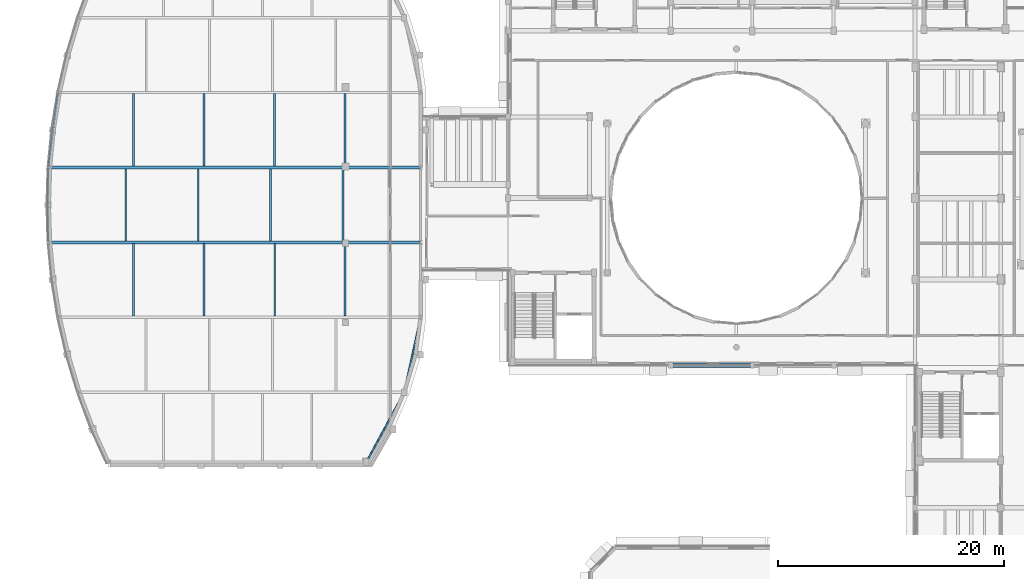
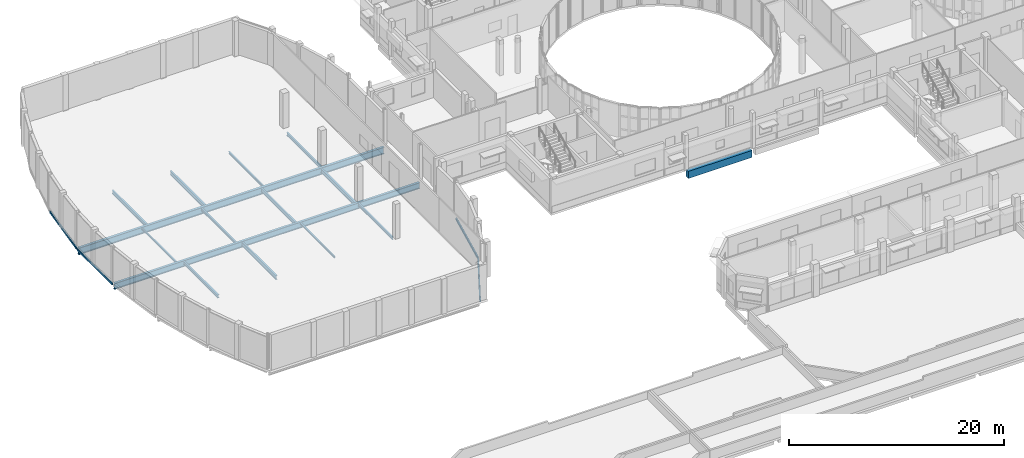
# One storey, part 20 of 105: 19 beams.
"""IFC4 building model written with IfcOpenShell, lengths in metres."""

from ifc_helpers import new_model, si_unit, direction, frame, origin, origin_2d, place, context, subcontext, project, spatial, rectangle, hollow_rectangle, i_section, extrude, material, material_profile, profile_set, type_object, element, save


model = new_model("IFC4")

# Units and contexts
model_context = context("Model", 3, precision=1e-05, world=origin(), true_north=direction((0.0, 1.0)))
body_context = subcontext(model_context, "Body", "Model", "MODEL_VIEW")
ifc_project = project(units=[si_unit("LENGTHUNIT", "METRE"), si_unit("AREAUNIT", "SQUARE_METRE"), si_unit("VOLUMEUNIT", "CUBIC_METRE"), si_unit("PLANEANGLEUNIT", "RADIAN"), si_unit("MASSUNIT", "GRAM", prefix="KILO")], contexts=[model_context])

# Site, building, storey
site_placement = place(None, origin())
site = spatial("IfcSite", under=ifc_project, at=site_placement, CompositionType="ELEMENT")
building_placement = place(site_placement, origin())
building = spatial("IfcBuilding", under=site, at=building_placement, Name="Kelanivale Promenade Academy", CompositionType="ELEMENT")
storey_placement = place(building_placement, frame((0.0, 0.0, 4.199951171875)))
storey = spatial("IfcBuildingStorey", under=building, at=storey_placement, Name="L01", CompositionType="ELEMENT", Elevation=4.199951171875)

# Beams
ifc_material_1 = material(Name="Concrete C35/45", Category="concrete")
ifc_material_profile_1 = material_profile(ifc_material_1, rectangle(XDim=0.39990234375, YDim=0.800048828125, at=origin_2d()), Name="RC-BM 400x800")
ifc_profile_set_1 = profile_set([ifc_material_profile_1], Name="Concrete C35/45")
beam_type_1 = type_object("IfcBeamType", Name="BM-14 RC-BM 400x800", PredefinedType="BEAM", material=ifc_profile_set_1)
beam_1_placement = place(storey_placement, frame((57.794921875, 42.0, -0.619873046875), z_axis=(1.0, 0.0, 0.0), x_axis=(0.0, 1.0, 0.0)))
element("IfcBeam", 1, at=beam_1_placement, inside=storey, type_object=beam_type_1, Name="L01 girder BM-14", PredefinedType="BEAM", context=body_context, shape_type="SweptSolid", body=[
    extrude(rectangle(XDim=0.39990234375, YDim=0.800048828125, at=origin_2d()), origin(), (0.0, 0.0, 1.0), 6.8349609375),
])
ifc_material_2 = material(Name="Steel S355", Category="steel")
ifc_material_profile_2 = material_profile(ifc_material_2, i_section(OverallWidth=0.13330078125, OverallDepth=0.203125, WebThickness=0.005615234375, FlangeThickness=0.0078125, FilletRadius=0.007568359375, at=origin_2d()), Name="UB 203x133x25")
ifc_profile_set_2 = profile_set([ifc_material_profile_2], Name="Steel S355")
beam_type_2 = type_object("IfcBeamType", Name="SB-01 UB 203x133x25", PredefinedType="JOIST", material=ifc_profile_set_2)
beam_2_placement = place(storey_placement, frame((22.52392578125, 46.365966796875, -0.366943359375), z_axis=(0.0, 1.0, 0.0), x_axis=(-1.0, 0.0, 0.0)))
element("IfcBeam", 2, at=beam_2_placement, inside=storey, type_object=beam_type_2, Name="L01 hall floor secondary joist SB-01", PredefinedType="JOIST", context=body_context, shape_type="SweptSolid", body=[
    extrude(i_section(OverallWidth=0.13330078125, OverallDepth=0.203125, WebThickness=0.005615234375, FlangeThickness=0.0078125, FilletRadius=0.007568359375, at=origin_2d()), origin(), (0.0, 0.0, 1.0), 6.39794921875),
])
beam_3_placement = place(storey_placement, frame((9.364990234375, 53.008056640625, -0.366943359375), z_axis=(0.0, 1.0, 0.0), x_axis=(-1.0, 0.0, 0.0)))
element("IfcBeam", 3, at=beam_3_placement, inside=storey, type_object=beam_type_2, Name="L01 hall floor secondary joist SB-01", PredefinedType="JOIST", context=body_context, shape_type="SweptSolid", body=[
    extrude(i_section(OverallWidth=0.13330078125, OverallDepth=0.203125, WebThickness=0.005615234375, FlangeThickness=0.0078125, FilletRadius=0.007568359375, at=origin_2d()), origin(), (0.0, 0.0, 1.0), 6.3779296875),
])
ifc_material_profile_3 = material_profile(ifc_material_2, i_section(OverallWidth=0.14599609375, OverallDepth=0.25146484375, WebThickness=0.006103515625, FlangeThickness=0.008544921875, FilletRadius=0.007568359375, at=origin_2d()), Name="UB 254x146x31")
ifc_profile_set_3 = profile_set([ifc_material_profile_3], Name="Steel S355")
beam_type_3 = type_object("IfcBeamType", Name="SB-02 UB 254x146x31", PredefinedType="JOIST", material=ifc_profile_set_3)
beam_4_placement = place(storey_placement, frame((22.52392578125, 59.64208984375, -0.390869140625), z_axis=(0.0, 1.0, 0.0), x_axis=(-1.0, 0.0, 0.0)))
element("IfcBeam", 4, at=beam_4_placement, inside=storey, type_object=beam_type_3, Name="L01 hall floor secondary joist SB-02", PredefinedType="JOIST", context=body_context, shape_type="SweptSolid", body=[
    extrude(i_section(OverallWidth=0.14599609375, OverallDepth=0.25146484375, WebThickness=0.006103515625, FlangeThickness=0.008544921875, FilletRadius=0.007568359375, at=origin_2d()), origin(), (0.0, 0.0, 1.0), 6.40087890625),
])
ifc_material_profile_4 = material_profile(ifc_material_2, i_section(OverallWidth=0.1650390625, OverallDepth=0.303466796875, WebThickness=0.006103515625, FlangeThickness=0.01025390625, FilletRadius=0.0087890625, at=origin_2d()), Name="UB 305x165x40")
ifc_profile_set_4 = profile_set([ifc_material_profile_4], Name="Steel S355")
beam_type_4 = type_object("IfcBeamType", Name="SB-03 UB 305x165x40", PredefinedType="BEAM", material=ifc_profile_set_4)
beam_5_placement = place(storey_placement, frame((28.761962890625, 46.365966796875, -0.4169921875), z_axis=(0.0, 1.0, 0.0), x_axis=(-1.0, 0.0, 0.0)))
element("IfcBeam", 5, at=beam_5_placement, inside=storey, type_object=beam_type_4, Name="L01 hall floor secondary joist SB-03", PredefinedType="BEAM", context=body_context, shape_type="SweptSolid", body=[
    extrude(i_section(OverallWidth=0.1650390625, OverallDepth=0.303466796875, WebThickness=0.006103515625, FlangeThickness=0.01025390625, FilletRadius=0.0087890625, at=origin_2d()), origin(), (0.0, 0.0, 1.0), 6.39794921875),
])
beam_6_placement = place(storey_placement, frame((15.77392578125, 53.008056640625, -0.4169921875), z_axis=(0.0, 1.0, 0.0), x_axis=(-1.0, 0.0, 0.0)))
element("IfcBeam", 6, at=beam_6_placement, inside=storey, type_object=beam_type_4, Name="L01 hall floor secondary joist SB-03", PredefinedType="BEAM", context=body_context, shape_type="SweptSolid", body=[
    extrude(i_section(OverallWidth=0.1650390625, OverallDepth=0.303466796875, WebThickness=0.006103515625, FlangeThickness=0.01025390625, FilletRadius=0.0087890625, at=origin_2d()), origin(), (0.0, 0.0, 1.0), 6.3779296875),
])
ifc_material_profile_5 = material_profile(ifc_material_2, i_section(OverallWidth=0.17138671875, OverallDepth=0.35498046875, WebThickness=0.00732421875, FlangeThickness=0.011474609375, FilletRadius=0.01025390625, at=origin_2d()), Name="UB 356x171x51")
ifc_profile_set_5 = profile_set([ifc_material_profile_5], Name="Steel S355")
beam_type_5 = type_object("IfcBeamType", Name="SB-04 UB 356x171x51", PredefinedType="BEAM", material=ifc_profile_set_5)
beam_7_placement = place(storey_placement, frame((10.047119140625, 46.365966796875, -0.44189453125), z_axis=(0.0, 1.0, 0.0), x_axis=(-1.0, 0.0, 0.0)))
element("IfcBeam", 7, at=beam_7_placement, inside=storey, type_object=beam_type_5, Name="L01 hall floor secondary joist SB-04", PredefinedType="BEAM", context=body_context, shape_type="SweptSolid", body=[
    extrude(i_section(OverallWidth=0.17138671875, OverallDepth=0.35498046875, WebThickness=0.00732421875, FlangeThickness=0.011474609375, FilletRadius=0.01025390625, at=origin_2d()), origin(), (0.0, 0.0, 1.0), 6.39794921875),
])
beam_8_placement = place(storey_placement, frame((28.761962890625, 59.64208984375, -0.44189453125), z_axis=(0.0, 1.0, 0.0), x_axis=(-1.0, 0.0, 0.0)))
element("IfcBeam", 8, at=beam_8_placement, inside=storey, type_object=beam_type_5, Name="L01 hall floor secondary joist SB-04", PredefinedType="BEAM", context=body_context, shape_type="SweptSolid", body=[
    extrude(i_section(OverallWidth=0.17138671875, OverallDepth=0.35498046875, WebThickness=0.00732421875, FlangeThickness=0.011474609375, FilletRadius=0.01025390625, at=origin_2d()), origin(), (0.0, 0.0, 1.0), 6.40087890625),
])
ifc_material_profile_6 = material_profile(ifc_material_2, i_section(OverallWidth=0.177978515625, OverallDepth=0.406494140625, WebThickness=0.0078125, FlangeThickness=0.0126953125, FilletRadius=0.01025390625, at=origin_2d()), Name="UB 406x178x60")
ifc_profile_set_6 = profile_set([ifc_material_profile_6], Name="Steel S355")
beam_type_6 = type_object("IfcBeamType", Name="SB-05 UB 406x178x60", PredefinedType="BEAM", material=ifc_profile_set_6)
beam_9_placement = place(storey_placement, frame((22.181884765625, 53.008056640625, -0.468017578125), z_axis=(0.0, 1.0, 0.0), x_axis=(-1.0, 0.0, 0.0)))
element("IfcBeam", 9, at=beam_9_placement, inside=storey, type_object=beam_type_6, Name="L01 hall floor secondary joist SB-05", PredefinedType="BEAM", context=body_context, shape_type="SweptSolid", body=[
    extrude(i_section(OverallWidth=0.177978515625, OverallDepth=0.406494140625, WebThickness=0.0078125, FlangeThickness=0.0126953125, FilletRadius=0.01025390625, at=origin_2d()), origin(), (0.0, 0.0, 1.0), 6.3779296875),
])
beam_10_placement = place(storey_placement, frame((10.047119140625, 59.64208984375, -0.468017578125), z_axis=(0.0, 1.0, 0.0), x_axis=(-1.0, 0.0, 0.0)))
element("IfcBeam", 10, at=beam_10_placement, inside=storey, type_object=beam_type_6, Name="L01 hall floor secondary joist SB-05", PredefinedType="BEAM", context=body_context, shape_type="SweptSolid", body=[
    extrude(i_section(OverallWidth=0.177978515625, OverallDepth=0.406494140625, WebThickness=0.0078125, FlangeThickness=0.0126953125, FilletRadius=0.01025390625, at=origin_2d()), origin(), (0.0, 0.0, 1.0), 6.40087890625),
])
ifc_material_profile_7 = material_profile(ifc_material_2, i_section(OverallWidth=0.18994140625, OverallDepth=0.453369140625, WebThickness=0.008544921875, FlangeThickness=0.0126953125, FilletRadius=0.01025390625, at=origin_2d()), Name="UB 457x191x67")
ifc_profile_set_7 = profile_set([ifc_material_profile_7], Name="Steel S355")
beam_type_7 = type_object("IfcBeamType", Name="SB-06 UB 457x191x67", PredefinedType="BEAM", material=ifc_profile_set_7)
beam_11_placement = place(storey_placement, frame((16.284912109375, 46.365966796875, -0.491943359375), z_axis=(0.0, 1.0, 0.0), x_axis=(-1.0, 0.0, 0.0)))
element("IfcBeam", 11, at=beam_11_placement, inside=storey, type_object=beam_type_7, Name="L01 hall floor secondary joist SB-06", PredefinedType="BEAM", context=body_context, shape_type="SweptSolid", body=[
    extrude(i_section(OverallWidth=0.18994140625, OverallDepth=0.453369140625, WebThickness=0.008544921875, FlangeThickness=0.0126953125, FilletRadius=0.01025390625, at=origin_2d()), origin(), (0.0, 0.0, 1.0), 6.39794921875),
])
ifc_material_profile_8 = material_profile(ifc_material_2, i_section(OverallWidth=0.19140625, OverallDepth=0.4599609375, WebThickness=0.010009765625, FlangeThickness=0.01611328125, FilletRadius=0.01025390625, at=origin_2d()), Name="UB 457x191x82")
ifc_profile_set_8 = profile_set([ifc_material_profile_8], Name="Steel S355")
beam_type_8 = type_object("IfcBeamType", Name="SB-07 UB 457x191x82", PredefinedType="BEAM", material=ifc_profile_set_8)
beam_12_placement = place(storey_placement, frame((28.591064453125, 53.008056640625, -0.494873046875), z_axis=(0.0, 1.0, 0.0), x_axis=(-1.0, 0.0, 0.0)))
element("IfcBeam", 12, at=beam_12_placement, inside=storey, type_object=beam_type_8, Name="L01 hall floor secondary joist SB-07", PredefinedType="BEAM", context=body_context, shape_type="SweptSolid", body=[
    extrude(i_section(OverallWidth=0.19140625, OverallDepth=0.4599609375, WebThickness=0.010009765625, FlangeThickness=0.01611328125, FilletRadius=0.01025390625, at=origin_2d()), origin(), (0.0, 0.0, 1.0), 6.3779296875),
])
beam_13_placement = place(storey_placement, frame((16.284912109375, 59.64208984375, -0.494873046875), z_axis=(0.0, 1.0, 0.0), x_axis=(-1.0, 0.0, 0.0)))
element("IfcBeam", 13, at=beam_13_placement, inside=storey, type_object=beam_type_8, Name="L01 hall floor secondary joist SB-07", PredefinedType="BEAM", context=body_context, shape_type="SweptSolid", body=[
    extrude(i_section(OverallWidth=0.19140625, OverallDepth=0.4599609375, WebThickness=0.010009765625, FlangeThickness=0.01611328125, FilletRadius=0.01025390625, at=origin_2d()), origin(), (0.0, 0.0, 1.0), 6.40087890625),
])
ifc_material_profile_9 = material_profile(ifc_material_2, i_section(OverallWidth=0.253662109375, OverallDepth=0.68359375, WebThickness=0.012451171875, FlangeThickness=0.01904296875, FilletRadius=0.01513671875, at=origin_2d()), Name="UB 686x254x140")
ifc_profile_set_9 = profile_set([ifc_material_profile_9], Name="Steel S355")
beam_type_9 = type_object("IfcBeamType", Name="SB-11 UB 686x254x140", PredefinedType="BEAM", material=ifc_profile_set_9)
beam_14_placement = place(storey_placement, frame((2.60595703125, 52.885986328125, -0.60693359375), z_axis=(1.0, 0.0, 0.0), x_axis=(0.0, 1.0, 0.0)))
element("IfcBeam", 14, at=beam_14_placement, inside=storey, type_object=beam_type_9, Name="L01 hall floor steel girder SB-11", PredefinedType="BEAM", context=body_context, shape_type="SweptSolid", body=[
    extrude(i_section(OverallWidth=0.253662109375, OverallDepth=0.68359375, WebThickness=0.012451171875, FlangeThickness=0.01904296875, FilletRadius=0.01513671875, at=origin_2d()), origin(), (0.0, 0.0, 1.0), 32.744140625),
])
ifc_material_profile_10 = material_profile(ifc_material_2, i_section(OverallWidth=0.2666015625, OverallDepth=0.76220703125, WebThickness=0.014404296875, FlangeThickness=0.021484375, FilletRadius=0.0166015625, at=origin_2d()), Name="UB 762x267x173")
ifc_profile_set_10 = profile_set([ifc_material_profile_10], Name="Steel S355")
beam_type_10 = type_object("IfcBeamType", Name="SB-12 UB 762x267x173", PredefinedType="BEAM", material=ifc_profile_set_10)
beam_15_placement = place(storey_placement, frame((2.60595703125, 59.513916015625, -0.64599609375), z_axis=(1.0, 0.0, 0.0), x_axis=(0.0, 1.0, 0.0)))
element("IfcBeam", 15, at=beam_15_placement, inside=storey, type_object=beam_type_10, Name="L01 hall floor steel girder SB-12", PredefinedType="BEAM", context=body_context, shape_type="SweptSolid", body=[
    extrude(i_section(OverallWidth=0.2666015625, OverallDepth=0.76220703125, WebThickness=0.014404296875, FlangeThickness=0.021484375, FilletRadius=0.0166015625, at=origin_2d()), origin(), (0.0, 0.0, 1.0), 32.744140625),
])
ifc_material_profile_11 = material_profile(ifc_material_2, hollow_rectangle(XDim=0.14990234375, YDim=0.25, WallThickness=0.010009765625, InnerFilletRadius=0.010009765625, OuterFilletRadius=0.02001953125, at=origin_2d()), Name="RHS 250x150x10.0")
ifc_profile_set_11 = profile_set([ifc_material_profile_11], Name="Steel S355")
beam_type_11 = type_object("IfcBeamType", Name="SB-13 RHS 250x150x10.0", PredefinedType="SPANDREL", material=ifc_profile_set_11)
beam_16_placement = place(storey_placement, frame((30.697998046875, 33.5380859375, -0.389892578125), z_axis=(0.476545748285, 0.879149674283, 0.0), x_axis=(-0.879149674283, 0.476545748285, 0.0)))
element("IfcBeam", 16, at=beam_16_placement, inside=storey, type_object=beam_type_11, Name="Sports Hall Crescent Pavilion inner kidney ring beam SB-13", PredefinedType="SPANDREL", context=body_context, shape_type="SweptSolid", body=[
    extrude(hollow_rectangle(XDim=0.14990234375, YDim=0.25, WallThickness=0.010009765625, InnerFilletRadius=0.010009765625, OuterFilletRadius=0.02001953125, at=origin_2d()), origin(), (0.0, 0.0, 1.0), 6.828125),
])
beam_17_placement = place(storey_placement, frame((34.02099609375, 39.72705078125, -0.389892578125), z_axis=(0.213839528573, 0.976868801846, 0.0), x_axis=(-0.976868801846, 0.213839528573, 0.0)))
element("IfcBeam", 17, at=beam_17_placement, inside=storey, type_object=beam_type_11, Name="Sports Hall Crescent Pavilion inner kidney ring beam SB-13", PredefinedType="SPANDREL", context=body_context, shape_type="SweptSolid", body=[
    extrude(hollow_rectangle(XDim=0.14990234375, YDim=0.25, WallThickness=0.010009765625, InnerFilletRadius=0.010009765625, OuterFilletRadius=0.02001953125, at=origin_2d()), origin(), (0.0, 0.0, 1.0), 6.584228515625),
])
beam_18_placement = place(storey_placement, frame((2.506103515625, 52.986083984375, -0.389892578125), z_axis=(0.0, 1.0, 0.0), x_axis=(-1.0, 0.0, 0.0)))
element("IfcBeam", 18, at=beam_18_placement, inside=storey, type_object=beam_type_11, Name="Sports Hall Crescent Pavilion curved ring beam SB-13", PredefinedType="SPANDREL", context=body_context, shape_type="SweptSolid", body=[
    extrude(hollow_rectangle(XDim=0.14990234375, YDim=0.25, WallThickness=0.010009765625, InnerFilletRadius=0.010009765625, OuterFilletRadius=0.02001953125, at=origin_2d()), origin(), (0.0, 0.0, 1.0), 6.427978515625),
])
beam_19_placement = place(storey_placement, frame((2.51904296875, 59.613037109375, -0.389892578125), z_axis=(0.127532854927, 0.991834346509, 0.0), x_axis=(-0.991834346509, 0.127532854927, 0.0)))
element("IfcBeam", 19, at=beam_19_placement, inside=storey, type_object=beam_type_11, Name="Sports Hall Crescent Pavilion curved ring beam SB-13", PredefinedType="SPANDREL", context=body_context, shape_type="SweptSolid", body=[
    extrude(hollow_rectangle(XDim=0.14990234375, YDim=0.25, WallThickness=0.010009765625, InnerFilletRadius=0.010009765625, OuterFilletRadius=0.02001953125, at=origin_2d()), origin(), (0.0, 0.0, 1.0), 6.48388671875),
])

save(model, "model.ifc")
